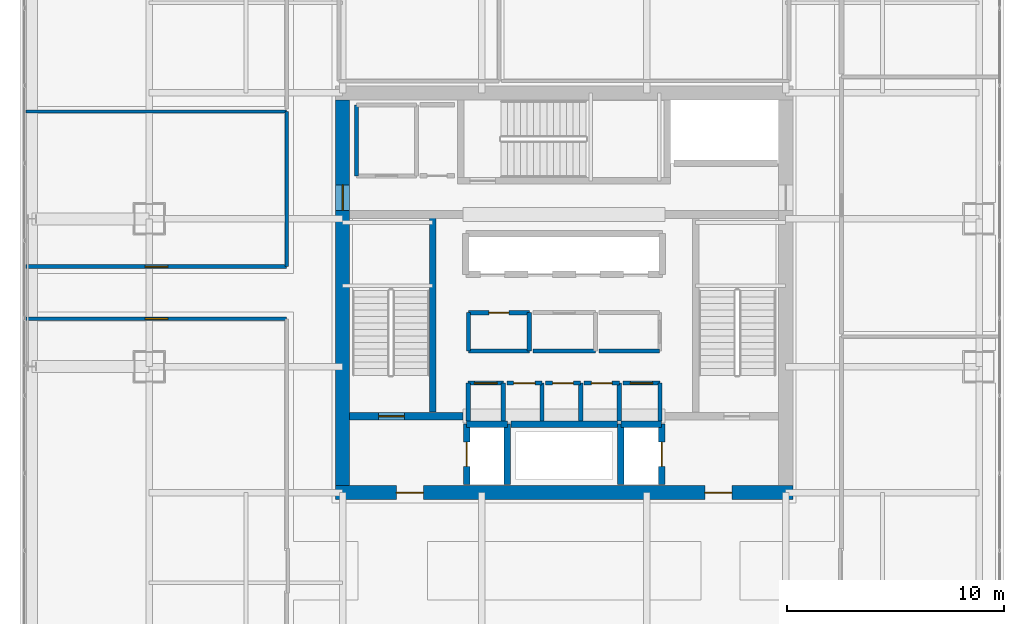
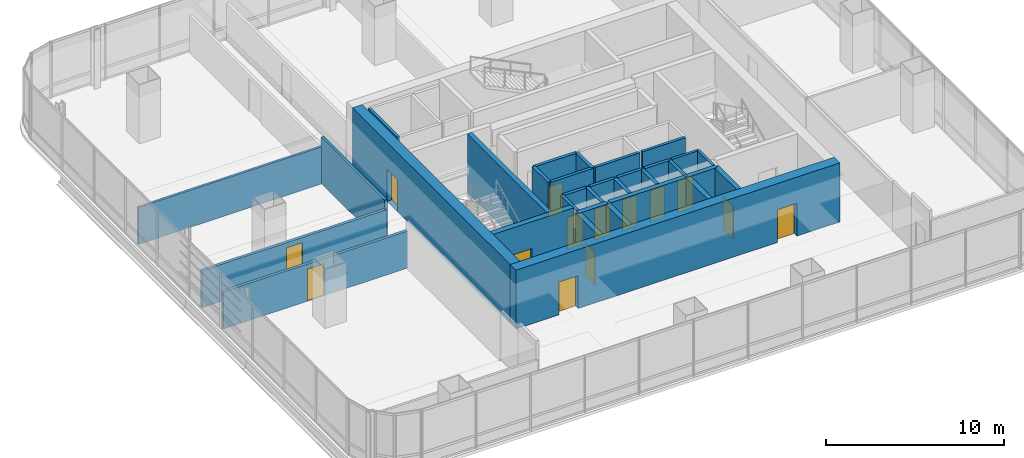
# One storey, part 30 of 38: 33 walls, 14 doors, 14 openings.
"""IFC4 building model written with IfcOpenShell, lengths in metres."""

from ifc_helpers import new_model, si_unit, direction, frame, frame_2d, origin, place, context, subcontext, project, spatial, rectangle, extrude, material, layer, layer_set, type_object, element, fill, save


model = new_model("IFC4")

# Units and contexts
model_context = context("Model", 3, precision=1e-05, world=origin(), true_north=direction((0.0, 1.0)))
body_context = subcontext(model_context, "Body", "Model", "MODEL_VIEW")
ifc_project = project(units=[si_unit("LENGTHUNIT", "METRE"), si_unit("AREAUNIT", "SQUARE_METRE"), si_unit("VOLUMEUNIT", "CUBIC_METRE"), si_unit("PLANEANGLEUNIT", "RADIAN"), si_unit("MASSUNIT", "GRAM", prefix="KILO")], contexts=[model_context])

# Site, building, storey
site_placement = place(None, origin())
site = spatial("IfcSite", under=ifc_project, at=site_placement, CompositionType="ELEMENT")
building_placement = place(site_placement, origin())
building = spatial("IfcBuilding", under=site, at=building_placement, Name="Punatoya Terracotta Tower", CompositionType="ELEMENT")
storey_placement = place(building_placement, frame((0.0, 0.0, 151.949951171875)))
storey = spatial("IfcBuildingStorey", under=building, at=storey_placement, Name="L35", CompositionType="ELEMENT", Elevation=151.949951171875)

# Wall, openings, doors
ifc_material_1 = material(Name="Concrete C60/75", Category="concrete")
ifc_layer_1 = layer(ifc_material_1, 0.64990234375)
ifc_layer_set_1 = layer_set([ifc_layer_1], Name="Concrete C60/75")
wall_type_1 = type_object("IfcWallType", Name="WL-COR-650", PredefinedType="SHEAR", material=ifc_layer_set_1)
wall_1_placement = place(storey_placement, frame((10.52490234375, -9.199951171875, 0.0), z_axis=(0.0, 0.0, 1.0), x_axis=(-1.0, 0.0, 0.0)))
wall_1 = element("IfcWall", 1, at=wall_1_placement, inside=storey, type_object=wall_type_1, Name="L35 Core Shear Wall S", PredefinedType="SHEAR", context=body_context, shape_type="SweptSolid", body=[
    extrude(rectangle(XDim=21.0498046875, YDim=0.64990234375, at=frame_2d((10.52490234375, 0.0))), origin(), (0.0, 0.0, 1.0), 4.050048828125),
])
opening_1_placement = place(wall_1_placement, frame((2.800048828125, 0.0, 0.0)))
opening_1 = element("IfcOpeningElement", 2, at=opening_1_placement, cuts=wall_1, Name="Opening FD-L1", PredefinedType="OPENING", context=body_context, shape_type="SweptSolid", body=[
    extrude(rectangle(XDim=1.25, YDim=2.25, at=frame_2d((0.625, 1.125))), frame((0.0, 0.3349609375, 0.0), z_axis=(0.0, -1.0, 0.0), x_axis=(1.0, 0.0, 0.0)), (0.0, 0.0, 1.0), 0.669921875),
])
opening_2_placement = place(wall_1_placement, frame((17.0, 0.0, 0.0)))
opening_2 = element("IfcOpeningElement", 3, at=opening_2_placement, cuts=wall_1, Name="Opening FD-L1", PredefinedType="OPENING", context=body_context, shape_type="SweptSolid", body=[
    extrude(rectangle(XDim=1.25, YDim=2.25, at=frame_2d((0.625, 1.125))), frame((0.0, 0.3349609375, 0.0), z_axis=(0.0, -1.0, 0.0), x_axis=(1.0, 0.0, 0.0)), (0.0, 0.0, 1.0), 0.669921875),
])
ifc_material_2 = material(Name="Galvanised Steel Smokeproof Fire Door", Category="steel")
door_type_1 = type_object("IfcDoorType", Name="DR-FFL-1250", OperationType="NOTDEFINED", PredefinedType="DOOR", material=ifc_material_2)
door_1_placement = place(opening_1_placement, origin())
door_1 = element("IfcDoor", 4, at=door_1_placement, inside=storey, type_object=door_type_1, Name="L35 East Firefighting Lobby Corridor Fire Door", OperationType="SINGLE_SWING_LEFT", OverallHeight=2.25, OverallWidth=1.25, PredefinedType="DOOR", context=body_context, shape_type="SweptSolid", body=[
    extrude(rectangle(XDim=1.25, YDim=2.25, at=frame_2d((0.625, 1.125))), frame((0.0, 0.02490234375, 0.0), z_axis=(0.0, -1.0, 0.0), x_axis=(1.0, 0.0, 0.0)), (0.0, 0.0, 1.0), 0.050048828125),
])
fill(opening_1, door_1)
door_2_placement = place(opening_2_placement, origin())
door_2 = element("IfcDoor", 5, at=door_2_placement, inside=storey, type_object=door_type_1, Name="L35 West Firefighting Lobby Corridor Fire Door", OperationType="SINGLE_SWING_RIGHT", OverallHeight=2.25, OverallWidth=1.25, PredefinedType="DOOR", context=body_context, shape_type="SweptSolid", body=[
    extrude(rectangle(XDim=1.25, YDim=2.25, at=frame_2d((0.625, 1.125))), frame((0.0, 0.02490234375, 0.0), z_axis=(0.0, -1.0, 0.0), x_axis=(1.0, 0.0, 0.0)), (0.0, 0.0, 1.0), 0.050048828125),
])
fill(opening_2, door_2)

# Wall, opening, door
wall_2_placement = place(storey_placement, frame((-10.199951171875, -8.875, 0.0), z_axis=(0.0, 0.0, 1.0), x_axis=(0.0, 1.0, 0.0)))
wall_2 = element("IfcWall", 6, at=wall_2_placement, inside=storey, type_object=wall_type_1, Name="L35 Core Shear Wall W", PredefinedType="SHEAR", context=body_context, shape_type="SweptSolid", body=[
    extrude(rectangle(XDim=17.75, YDim=0.64990234375, at=frame_2d((8.875, 0.0))), origin(), (0.0, 0.0, 1.0), 4.050048828125),
])
opening_3_placement = place(wall_2_placement, frame((12.6650390625, 0.0, 0.0)))
opening_3 = element("IfcOpeningElement", 7, at=opening_3_placement, cuts=wall_2, Name="Opening SD-01", PredefinedType="OPENING", context=body_context, shape_type="SweptSolid", body=[
    extrude(rectangle(XDim=1.179931640625, YDim=2.199951171875, at=frame_2d((0.58984375, 1.10009765625))), frame((0.0, 0.3349609375, 0.0), z_axis=(0.0, -1.0, 0.0), x_axis=(1.0, 0.0, 0.0)), (0.0, 0.0, 1.0), 0.669921875),
])
ifc_material_3 = material(Name="Galvanised Steel Pressurized Stair Fire Door", Category="steel")
door_type_2 = type_object("IfcDoorType", Name="DR-STR-1180", OperationType="NOTDEFINED", PredefinedType="DOOR", material=ifc_material_3)
door_3_placement = place(opening_3_placement, origin())
door_3 = element("IfcDoor", 8, at=door_3_placement, inside=storey, type_object=door_type_2, Name="L35 Central Lift Lobby West Fire Door", OperationType="SINGLE_SWING_LEFT", OverallHeight=2.199951171875, OverallWidth=1.179931640625, PredefinedType="DOOR", context=body_context, shape_type="SweptSolid", body=[
    extrude(rectangle(XDim=1.179931640625, YDim=2.199951171875, at=frame_2d((0.58984375, 1.10009765625))), frame((0.0, 0.02490234375, 0.0), z_axis=(0.0, -1.0, 0.0), x_axis=(1.0, 0.0, 0.0)), (0.0, 0.0, 1.0), 0.050048828125),
])
fill(opening_3, door_3)

# Wall
ifc_material_4 = material(Name="Gypsum Fireboard + Steel Stud", Category="steel")
ifc_layer_2 = layer(ifc_material_4, 0.179931640625)
ifc_layer_set_2 = layer_set([ifc_layer_2], Name="Gypsum Fireboard + Steel Stud")
wall_type_2 = type_object("IfcWallType", Name="WL-CORR-180", PredefinedType="PARTITIONING", material=ifc_layer_set_2)
wall_3_placement = place(storey_placement, frame((4.419921875, -5.89990234375, 0.0), z_axis=(0.0, 0.0, 1.0), x_axis=(0.0, 1.0, 0.0)))
element("IfcWall", 9, at=wall_3_placement, inside=storey, type_object=wall_type_2, Name="L35 Core Focus Booth Partition 10", PredefinedType="PARTITIONING", context=body_context, shape_type="SweptSolid", body=[
    extrude(rectangle(XDim=1.739990234375, YDim=0.179931640625, at=frame_2d((0.8701171875, 0.0))), origin(), (0.0, 0.0, 1.0), 3.830078125),
])

# Wall, opening, door
wall_4_placement = place(storey_placement, frame((4.419921875, -4.159912109375, 0.0), z_axis=(0.0, 0.0, 1.0), x_axis=(-1.0, 0.0, 0.0)))
wall_4 = element("IfcWall", 10, at=wall_4_placement, inside=storey, type_object=wall_type_2, Name="L35 Core Focus Booth Partition 11", PredefinedType="PARTITIONING", context=body_context, shape_type="SweptSolid", body=[
    extrude(rectangle(XDim=1.719970703125, YDim=0.179931640625, at=frame_2d((0.85986328125, 0.0))), origin(), (0.0, 0.0, 1.0), 3.830078125),
])
opening_4_placement = place(wall_4_placement, frame((0.35009765625, 0.0, 0.0)))
opening_4 = element("IfcOpeningElement", 11, at=opening_4_placement, cuts=wall_4, Name="Opening MD-01", PredefinedType="OPENING", context=body_context, shape_type="SweptSolid", body=[
    extrude(rectangle(XDim=1.02001953125, YDim=2.199951171875, at=frame_2d((0.510009765625, 1.10009765625))), frame((0.0, 0.099853515625, 0.0), z_axis=(0.0, -1.0, 0.0), x_axis=(1.0, 0.0, 0.0)), (0.0, 0.0, 1.0), 0.199951171875),
])
ifc_material_5 = material(Name="Aluminium + Acoustic Glass Leaf", Category="aluminium")
door_type_3 = type_object("IfcDoorType", Name="DR-MTG-1020", OperationType="NOTDEFINED", PredefinedType="DOOR", material=ifc_material_5)
door_4_placement = place(opening_4_placement, origin())
door_4 = element("IfcDoor", 12, at=door_4_placement, inside=storey, type_object=door_type_3, Name="L35 Focus Booth Door", OperationType="SINGLE_SWING_LEFT", OverallHeight=2.199951171875, OverallWidth=1.02001953125, PredefinedType="DOOR", context=body_context, shape_type="SweptSolid", body=[
    extrude(rectangle(XDim=1.02001953125, YDim=2.199951171875, at=frame_2d((0.510009765625, 1.10009765625))), frame((0.0, 0.02490234375, 0.0), z_axis=(0.0, -1.0, 0.0), x_axis=(1.0, 0.0, 0.0)), (0.0, 0.0, 1.0), 0.050048828125),
])
fill(opening_4, door_4)

# Walls
wall_5_placement = place(storey_placement, frame((-1.43994140625, -2.679931640625, 0.0), z_axis=(0.0, 0.0, 1.0), x_axis=(1.0, 0.0, 0.0)))
element("IfcWall", 13, at=wall_5_placement, inside=storey, type_object=wall_type_2, Name="L35 Center Core Briefing Pod Partition 18", PredefinedType="PARTITIONING", context=body_context, shape_type="SweptSolid", body=[
    extrude(rectangle(XDim=2.8798828125, YDim=0.179931640625, at=frame_2d((1.43994140625, 0.0))), origin(), (0.0, 0.0, 1.0), 3.830078125),
])
wall_6_placement = place(storey_placement, frame((1.60009765625, -2.679931640625, 0.0), z_axis=(0.0, 0.0, 1.0), x_axis=(1.0, 0.0, 0.0)))
element("IfcWall", 14, at=wall_6_placement, inside=storey, type_object=wall_type_2, Name="L35 Right Core Copy Room Partition 21", PredefinedType="PARTITIONING", context=body_context, shape_type="SweptSolid", body=[
    extrude(rectangle(XDim=2.7998046875, YDim=0.179931640625, at=frame_2d((1.39990234375, 0.0))), origin(), (0.0, 0.0, 1.0), 3.830078125),
])
wall_7_placement = place(storey_placement, frame((-9.550048828125, 8.64990234375, 0.0), z_axis=(0.0, 0.0, 1.0), x_axis=(0.0, -1.0, 0.0)))
element("IfcWall", 15, at=wall_7_placement, inside=storey, type_object=wall_type_2, Name="L35 West Core Briefing Pod Partition 24", PredefinedType="PARTITIONING", context=body_context, shape_type="SweptSolid", body=[
    extrude(rectangle(XDim=3.27001953125, YDim=0.179931640625, at=frame_2d((1.635009765625, 0.0))), origin(), (0.0, 0.0, 1.0), 3.830078125),
])

# Wall, opening, door
wall_8_placement = place(storey_placement, frame((-24.77001953125, -1.199951171875, 0.0), z_axis=(0.0, 0.0, 1.0), x_axis=(1.0, 0.0, 0.0)))
wall_8 = element("IfcWall", 16, at=wall_8_placement, inside=storey, type_object=wall_type_2, Name="L35 Cartography Reference Library Partition 33", PredefinedType="PARTITIONING", context=body_context, shape_type="SweptSolid", body=[
    extrude(rectangle(XDim=12.0, YDim=0.179931640625, at=frame_2d((6.0, 0.0))), origin(), (0.0, 0.0, 1.0), 2.5439453125),
])
opening_5_placement = place(wall_8_placement, frame((5.47509765625, 0.0, 0.0)))
opening_5 = element("IfcOpeningElement", 17, at=opening_5_placement, cuts=wall_8, Name="Opening OD-01", PredefinedType="OPENING", context=body_context, shape_type="SweptSolid", body=[
    extrude(rectangle(XDim=1.050048828125, YDim=2.199951171875, at=frame_2d((0.52490234375, 1.10009765625))), frame((0.0, 0.099853515625, 0.0), z_axis=(0.0, -1.0, 0.0), x_axis=(1.0, 0.0, 0.0)), (0.0, 0.0, 1.0), 0.199951171875),
])
ifc_material_6 = material(Name="Bengal Teak Solid-Core Leaf")
door_type_4 = type_object("IfcDoorType", Name="DR-OFF-1050", OperationType="NOTDEFINED", PredefinedType="DOOR", material=ifc_material_6)
door_5_placement = place(opening_5_placement, origin())
door_5 = element("IfcDoor", 18, at=door_5_placement, inside=storey, type_object=door_type_4, Name="L35 Cartography Reference Library Door", OperationType="SINGLE_SWING_RIGHT", OverallHeight=2.199951171875, OverallWidth=1.050048828125, PredefinedType="DOOR", context=body_context, shape_type="SweptSolid", body=[
    extrude(rectangle(XDim=1.050048828125, YDim=2.199951171875, at=frame_2d((0.52490234375, 1.10009765625))), frame((0.0, 0.02490234375, 0.0), z_axis=(0.0, -1.0, 0.0), x_axis=(1.0, 0.0, 0.0)), (0.0, 0.0, 1.0), 0.050048828125),
])
fill(opening_5, door_5)

wall_9_placement = place(storey_placement, frame((-12.77001953125, 1.199951171875, 0.0), z_axis=(0.0, 0.0, 1.0), x_axis=(-1.0, 0.0, 0.0)))
wall_9 = element("IfcWall", 19, at=wall_9_placement, inside=storey, type_object=wall_type_2, Name="L35 Open-Plan Environmental Research Laboratory Partition 40", PredefinedType="PARTITIONING", context=body_context, shape_type="SweptSolid", body=[
    extrude(rectangle(XDim=12.0, YDim=0.179931640625, at=frame_2d((6.0, 0.0))), origin(), (0.0, 0.0, 1.0), 2.5439453125),
])
opening_6_placement = place(wall_9_placement, frame((5.47509765625, 0.0, 0.0)))
opening_6 = element("IfcOpeningElement", 20, at=opening_6_placement, cuts=wall_9, Name="Opening OD-01", PredefinedType="OPENING", context=body_context, shape_type="SweptSolid", body=[
    extrude(rectangle(XDim=1.050048828125, YDim=2.199951171875, at=frame_2d((0.52490234375, 1.10009765625))), frame((0.0, 0.099853515625, 0.0), z_axis=(0.0, -1.0, 0.0), x_axis=(1.0, 0.0, 0.0)), (0.0, 0.0, 1.0), 0.199951171875),
])
door_6_placement = place(opening_6_placement, origin())
door_6 = element("IfcDoor", 21, at=door_6_placement, inside=storey, type_object=door_type_4, Name="L35 Open-Plan Environmental Research Laboratory Door", OperationType="SINGLE_SWING_RIGHT", OverallHeight=2.199951171875, OverallWidth=1.050048828125, PredefinedType="DOOR", context=body_context, shape_type="SweptSolid", body=[
    extrude(rectangle(XDim=1.050048828125, YDim=2.199951171875, at=frame_2d((0.52490234375, 1.10009765625))), frame((0.0, 0.02490234375, 0.0), z_axis=(0.0, -1.0, 0.0), x_axis=(1.0, 0.0, 0.0)), (0.0, 0.0, 1.0), 0.050048828125),
])
fill(opening_6, door_6)

# Walls
wall_10_placement = place(storey_placement, frame((-12.77001953125, 8.34912109375, 0.0), z_axis=(0.0, 0.0, 1.0), x_axis=(0.0, -1.0, 0.0)))
element("IfcWall", 22, at=wall_10_placement, inside=storey, type_object=wall_type_2, Name="L35 Open-Plan Environmental Research Laboratory Partition 42", PredefinedType="PARTITIONING", context=body_context, shape_type="SweptSolid", body=[
    extrude(rectangle(XDim=7.149169921875, YDim=0.179931640625, at=frame_2d((3.57470703125, 0.0))), origin(), (0.0, 0.0, 1.0), 3.174072265625),
])
ifc_material_7 = material(Name="Concrete C40/50", Category="concrete")
ifc_layer_3 = layer(ifc_material_7, 0.199951171875)
ifc_layer_set_3 = layer_set([ifc_layer_3], Name="Concrete C40/50")
wall_type_3 = type_object("IfcWallType", Name="WL-INT-200", PredefinedType="SOLIDWALL", material=ifc_layer_set_3)
wall_11_placement = place(storey_placement, frame((-2.800048828125, -5.89990234375, 0.0), z_axis=(0.0, 0.0, 1.0), x_axis=(0.0, 1.0, 0.0)))
element("IfcWall", 23, at=wall_11_placement, inside=storey, type_object=wall_type_3, Name="L35 Core Tea Pantry Partition 01", PredefinedType="SOLIDWALL", context=body_context, shape_type="SweptSolid", body=[
    extrude(rectangle(XDim=1.739990234375, YDim=0.199951171875, at=frame_2d((0.8701171875, 0.0))), origin(), (0.0, 0.0, 1.0), 3.830078125),
])

# Wall, opening, door
wall_12_placement = place(storey_placement, frame((-2.800048828125, -4.159912109375, 0.0), z_axis=(0.0, 0.0, 1.0), x_axis=(-1.0, 0.0, 0.0)))
wall_12 = element("IfcWall", 24, at=wall_12_placement, inside=storey, type_object=wall_type_3, Name="L35 Core Tea Pantry Partition 02", PredefinedType="SOLIDWALL", context=body_context, shape_type="SweptSolid", body=[
    extrude(rectangle(XDim=1.619873046875, YDim=0.199951171875, at=frame_2d((0.81005859375, 0.0))), origin(), (0.0, 0.0, 1.0), 3.830078125),
])
opening_7_placement = place(wall_12_placement, frame((0.284912109375, 0.0, 0.0)))
opening_7 = element("IfcOpeningElement", 25, at=opening_7_placement, cuts=wall_12, Name="Opening OD-01", PredefinedType="OPENING", context=body_context, shape_type="SweptSolid", body=[
    extrude(rectangle(XDim=1.050048828125, YDim=2.199951171875, at=frame_2d((0.52490234375, 1.10009765625))), frame((0.0, 0.10986328125, 0.0), z_axis=(0.0, -1.0, 0.0), x_axis=(1.0, 0.0, 0.0)), (0.0, 0.0, 1.0), 0.219970703125),
])
door_7_placement = place(opening_7_placement, origin())
door_7 = element("IfcDoor", 26, at=door_7_placement, inside=storey, type_object=door_type_4, Name="L35 Tea Pantry Door", OperationType="SINGLE_SWING_LEFT", OverallHeight=2.199951171875, OverallWidth=1.050048828125, PredefinedType="DOOR", context=body_context, shape_type="SweptSolid", body=[
    extrude(rectangle(XDim=1.050048828125, YDim=2.199951171875, at=frame_2d((0.52490234375, 1.10009765625))), frame((0.0, 0.02490234375, 0.0), z_axis=(0.0, -1.0, 0.0), x_axis=(1.0, 0.0, 0.0)), (0.0, 0.0, 1.0), 0.050048828125),
])
fill(opening_7, door_7)

# Walls
for number, where, z_axis, x_axis, name in (
    (27, (-4.419921875, -4.159912109375, 0.0), (0.0, 0.0, 1.0), (0.0, -1.0, 0.0), "L35 Core Tea Pantry Partition 03"),
    (28, (-1.02001953125, -5.89990234375, 0.0), (0.0, 0.0, 1.0), (0.0, 1.0, 0.0), "L35 Accessible Washroom Partition 04"),
):
    element("IfcWall", number, at=place(storey_placement, frame(where, z_axis=z_axis, x_axis=x_axis)), inside=storey, type_object=wall_type_3, Name=name, PredefinedType="SOLIDWALL", context=body_context, shape_type="SweptSolid", body=[
        extrude(rectangle(XDim=1.739990234375, YDim=0.199951171875, at=frame_2d((0.8701171875, 0.0))), origin(), (0.0, 0.0, 1.0), 3.830078125),
    ])

# Wall, opening, door
wall_13_placement = place(storey_placement, frame((-1.02001953125, -4.159912109375, 0.0), z_axis=(0.0, 0.0, 1.0), x_axis=(-1.0, 0.0, 0.0)))
wall_13 = element("IfcWall", 29, at=wall_13_placement, inside=storey, type_object=wall_type_3, Name="L35 Accessible Washroom Partition 05", PredefinedType="SOLIDWALL", context=body_context, shape_type="SweptSolid", body=[
    extrude(rectangle(XDim=1.619873046875, YDim=0.199951171875, at=frame_2d((0.81005859375, 0.0))), origin(), (0.0, 0.0, 1.0), 3.830078125),
])
opening_8_placement = place(wall_13_placement, frame((0.31005859375, 0.0, 0.0)))
opening_8 = element("IfcOpeningElement", 30, at=opening_8_placement, cuts=wall_13, Name="Opening AWD-1", PredefinedType="OPENING", context=body_context, shape_type="SweptSolid", body=[
    extrude(rectangle(XDim=1.0, YDim=2.14990234375, at=frame_2d((0.5, 1.074951171875))), frame((0.0, 0.10986328125, 0.0), z_axis=(0.0, -1.0, 0.0), x_axis=(1.0, 0.0, 0.0)), (0.0, 0.0, 1.0), 0.219970703125),
])
ifc_material_8 = material(Name="Bengal Teak Accessible WC Leaf")
door_type_5 = type_object("IfcDoorType", Name="DR-ACC-1000", OperationType="NOTDEFINED", PredefinedType="DOOR", material=ifc_material_8)
door_8_placement = place(opening_8_placement, origin())
door_8 = element("IfcDoor", 31, at=door_8_placement, inside=storey, type_object=door_type_5, Name="L35 Accessible Washroom Door", OperationType="SINGLE_SWING_RIGHT", OverallHeight=2.14990234375, OverallWidth=1.0, PredefinedType="DOOR", context=body_context, shape_type="SweptSolid", body=[
    extrude(rectangle(XDim=1.0, YDim=2.14990234375, at=frame_2d((0.5, 1.074951171875))), frame((0.0, 0.02490234375, 0.0), z_axis=(0.0, -1.0, 0.0), x_axis=(1.0, 0.0, 0.0)), (0.0, 0.0, 1.0), 0.050048828125),
])
fill(opening_8, door_8)

# Wall
wall_14_placement = place(storey_placement, frame((0.760009765625, -5.89990234375, 0.0), z_axis=(0.0, 0.0, 1.0), x_axis=(0.0, 1.0, 0.0)))
element("IfcWall", 32, at=wall_14_placement, inside=storey, type_object=wall_type_3, Name="L35 Female Washroom Partition 06", PredefinedType="SOLIDWALL", context=body_context, shape_type="SweptSolid", body=[
    extrude(rectangle(XDim=1.739990234375, YDim=0.199951171875, at=frame_2d((0.8701171875, 0.0))), origin(), (0.0, 0.0, 1.0), 3.830078125),
])

# Wall, opening, door
wall_15_placement = place(storey_placement, frame((0.760009765625, -4.159912109375, 0.0), z_axis=(0.0, 0.0, 1.0), x_axis=(-1.0, 0.0, 0.0)))
wall_15 = element("IfcWall", 33, at=wall_15_placement, inside=storey, type_object=wall_type_3, Name="L35 Female Washroom Partition 07", PredefinedType="SOLIDWALL", context=body_context, shape_type="SweptSolid", body=[
    extrude(rectangle(XDim=1.6201171875, YDim=0.199951171875, at=frame_2d((0.81005859375, 0.0))), origin(), (0.0, 0.0, 1.0), 3.830078125),
])
opening_9_placement = place(wall_15_placement, frame((0.3349609375, 0.0, 0.0)))
opening_9 = element("IfcOpeningElement", 34, at=opening_9_placement, cuts=wall_15, Name="Opening WD-01", PredefinedType="OPENING", context=body_context, shape_type="SweptSolid", body=[
    extrude(rectangle(XDim=0.949951171875, YDim=2.14990234375, at=frame_2d((0.47509765625, 1.074951171875))), frame((0.0, 0.10986328125, 0.0), z_axis=(0.0, -1.0, 0.0), x_axis=(1.0, 0.0, 0.0)), (0.0, 0.0, 1.0), 0.219970703125),
])
ifc_material_9 = material(Name="Moisture-Resistant Laminate Timber Leaf", Category="wood")
door_type_6 = type_object("IfcDoorType", Name="DR-WC-950", OperationType="NOTDEFINED", PredefinedType="DOOR", material=ifc_material_9)
door_9_placement = place(opening_9_placement, origin())
door_9 = element("IfcDoor", 35, at=door_9_placement, inside=storey, type_object=door_type_6, Name="L35 Female Washroom Door", OperationType="SINGLE_SWING_LEFT", OverallHeight=2.14990234375, OverallWidth=0.949951171875, PredefinedType="DOOR", context=body_context, shape_type="SweptSolid", body=[
    extrude(rectangle(XDim=0.949951171875, YDim=2.14990234375, at=frame_2d((0.47509765625, 1.074951171875))), frame((0.0, 0.02490234375, 0.0), z_axis=(0.0, -1.0, 0.0), x_axis=(1.0, 0.0, 0.0)), (0.0, 0.0, 1.0), 0.050048828125),
])
fill(opening_9, door_9)

# Wall
wall_16_placement = place(storey_placement, frame((2.5400390625, -5.89990234375, 0.0), z_axis=(0.0, 0.0, 1.0), x_axis=(0.0, 1.0, 0.0)))
element("IfcWall", 36, at=wall_16_placement, inside=storey, type_object=wall_type_3, Name="L35 Male Washroom Partition 08", PredefinedType="SOLIDWALL", context=body_context, shape_type="SweptSolid", body=[
    extrude(rectangle(XDim=1.739990234375, YDim=0.199951171875, at=frame_2d((0.8701171875, 0.0))), origin(), (0.0, 0.0, 1.0), 3.830078125),
])

# Wall, opening, door
wall_17_placement = place(storey_placement, frame((2.5400390625, -4.159912109375, 0.0), z_axis=(0.0, 0.0, 1.0), x_axis=(-1.0, 0.0, 0.0)))
wall_17 = element("IfcWall", 37, at=wall_17_placement, inside=storey, type_object=wall_type_3, Name="L35 Male Washroom Partition 09", PredefinedType="SOLIDWALL", context=body_context, shape_type="SweptSolid", body=[
    extrude(rectangle(XDim=1.6201171875, YDim=0.199951171875, at=frame_2d((0.81005859375, 0.0))), origin(), (0.0, 0.0, 1.0), 3.830078125),
])
opening_10_placement = place(wall_17_placement, frame((0.3349609375, 0.0, 0.0)))
opening_10 = element("IfcOpeningElement", 38, at=opening_10_placement, cuts=wall_17, Name="Opening WD-01", PredefinedType="OPENING", context=body_context, shape_type="SweptSolid", body=[
    extrude(rectangle(XDim=0.949951171875, YDim=2.14990234375, at=frame_2d((0.47509765625, 1.074951171875))), frame((0.0, 0.10986328125, 0.0), z_axis=(0.0, -1.0, 0.0), x_axis=(1.0, 0.0, 0.0)), (0.0, 0.0, 1.0), 0.219970703125),
])
door_10_placement = place(opening_10_placement, origin())
door_10 = element("IfcDoor", 39, at=door_10_placement, inside=storey, type_object=door_type_6, Name="L35 Male Washroom Door", OperationType="SINGLE_SWING_RIGHT", OverallHeight=2.14990234375, OverallWidth=0.949951171875, PredefinedType="DOOR", context=body_context, shape_type="SweptSolid", body=[
    extrude(rectangle(XDim=0.949951171875, YDim=2.14990234375, at=frame_2d((0.47509765625, 1.074951171875))), frame((0.0, 0.02490234375, 0.0), z_axis=(0.0, -1.0, 0.0), x_axis=(1.0, 0.0, 0.0)), (0.0, 0.0, 1.0), 0.050048828125),
])
fill(opening_10, door_10)

# Wall
wall_18_placement = place(storey_placement, frame((-1.60009765625, -2.679931640625, 0.0), z_axis=(0.0, 0.0, 1.0), x_axis=(0.0, 1.0, 0.0)))
element("IfcWall", 40, at=wall_18_placement, inside=storey, type_object=wall_type_3, Name="L35 Left Core Store Partition 12", PredefinedType="SOLIDWALL", context=body_context, shape_type="SweptSolid", body=[
    extrude(rectangle(XDim=1.760009765625, YDim=0.199951171875, at=frame_2d((0.8798828125, 0.0))), origin(), (0.0, 0.0, 1.0), 3.830078125),
])

# Wall, opening, door
wall_19_placement = place(storey_placement, frame((-1.60009765625, -0.919921875, 0.0), z_axis=(0.0, 0.0, 1.0), x_axis=(-1.0, 0.0, 0.0)))
wall_19 = element("IfcWall", 41, at=wall_19_placement, inside=storey, type_object=wall_type_3, Name="L35 Left Core Store Partition 13", PredefinedType="SOLIDWALL", context=body_context, shape_type="SweptSolid", body=[
    extrude(rectangle(XDim=2.7998046875, YDim=0.199951171875, at=frame_2d((1.39990234375, 0.0))), origin(), (0.0, 0.0, 1.0), 3.830078125),
])
opening_11_placement = place(wall_19_placement, frame((0.93994140625, 0.0, 0.0)))
opening_11 = element("IfcOpeningElement", 42, at=opening_11_placement, cuts=wall_19, Name="Opening FD-R1", PredefinedType="OPENING", context=body_context, shape_type="SweptSolid", body=[
    extrude(rectangle(XDim=0.919921875, YDim=2.10009765625, at=frame_2d((0.4599609375, 1.050048828125))), frame((0.0, 0.10986328125, 0.0), z_axis=(0.0, -1.0, 0.0), x_axis=(1.0, 0.0, 0.0)), (0.0, 0.0, 1.0), 0.219970703125),
])
ifc_material_10 = material(Name="Galvanised Steel Riser Fire Access Door", Category="steel")
door_type_7 = type_object("IfcDoorType", Name="DR-RSR-920", OperationType="NOTDEFINED", PredefinedType="DOOR", material=ifc_material_10)
door_11_placement = place(opening_11_placement, origin())
door_11 = element("IfcDoor", 43, at=door_11_placement, inside=storey, type_object=door_type_7, Name="L35 Left Core Store Fire Door", OperationType="SINGLE_SWING_RIGHT", OverallHeight=2.10009765625, OverallWidth=0.919921875, PredefinedType="DOOR", context=body_context, shape_type="SweptSolid", body=[
    extrude(rectangle(XDim=0.919921875, YDim=2.10009765625, at=frame_2d((0.4599609375, 1.050048828125))), frame((0.0, 0.02490234375, 0.0), z_axis=(0.0, -1.0, 0.0), x_axis=(1.0, 0.0, 0.0)), (0.0, 0.0, 1.0), 0.050048828125),
])
fill(opening_11, door_11)

# Walls
wall_20_placement = place(storey_placement, frame((-4.39990234375, -0.919921875, 0.0), z_axis=(0.0, 0.0, 1.0), x_axis=(0.0, -1.0, 0.0)))
element("IfcWall", 44, at=wall_20_placement, inside=storey, type_object=wall_type_3, Name="L35 Left Core Store Partition 14", PredefinedType="SOLIDWALL", context=body_context, shape_type="SweptSolid", body=[
    extrude(rectangle(XDim=1.760009765625, YDim=0.199951171875, at=frame_2d((0.8798828125, 0.0))), origin(), (0.0, 0.0, 1.0), 3.830078125),
])
wall_21_placement = place(storey_placement, frame((-4.39990234375, -2.679931640625, 0.0), z_axis=(0.0, 0.0, 1.0), x_axis=(1.0, 0.0, 0.0)))
element("IfcWall", 45, at=wall_21_placement, inside=storey, type_object=wall_type_3, Name="L35 Left Core Store Partition 15", PredefinedType="SOLIDWALL", context=body_context, shape_type="SweptSolid", body=[
    extrude(rectangle(XDim=2.7998046875, YDim=0.199951171875, at=frame_2d((1.39990234375, 0.0))), origin(), (0.0, 0.0, 1.0), 3.830078125),
])
ifc_material_11 = material(Name="Acoustic Gypsum + Steel Stud", Category="steel")
ifc_layer_4 = layer(ifc_material_11, 0.139892578125)
ifc_layer_set_4 = layer_set([ifc_layer_4], Name="Acoustic Gypsum + Steel Stud")
wall_type_4 = type_object("IfcWallType", Name="WL-OFF-140", PredefinedType="PARTITIONING", material=ifc_layer_set_4)
wall_22_placement = place(storey_placement, frame((-24.77001953125, 8.34912109375, 0.0), z_axis=(0.0, 0.0, 1.0), x_axis=(1.0, 0.0, 0.0)))
element("IfcWall", 46, at=wall_22_placement, inside=storey, type_object=wall_type_4, Name="L35 Open-Plan Environmental Research Laboratory Partition 41", PredefinedType="PARTITIONING", context=body_context, shape_type="SweptSolid", body=[
    extrude(rectangle(XDim=12.0, YDim=0.139892578125, at=frame_2d((6.0, 0.0))), origin(), (0.0, 0.0, 1.0), 2.5439453125),
])
ifc_layer_5 = layer(ifc_material_7, 0.300048828125)
ifc_layer_set_5 = layer_set([ifc_layer_5], Name="Concrete C40/50")
wall_type_5 = type_object("IfcWallType", Name="WL-SHF-300", PredefinedType="SOLIDWALL", material=ifc_layer_set_5)
wall_23_placement = place(storey_placement, frame((-6.050048828125, -5.5, 0.0), z_axis=(0.0, 0.0, 1.0), x_axis=(0.0, 1.0, 0.0)))
element("IfcWall", 47, at=wall_23_placement, inside=storey, type_object=wall_type_5, Name="L35 Structural Stair Shaft Wall SW-ST1-E", PredefinedType="SOLIDWALL", context=body_context, shape_type="SweptSolid", body=[
    extrude(rectangle(XDim=8.949951171875, YDim=0.300048828125, at=frame_2d((4.47509765625, 0.0))), origin(), (0.0, 0.0, 1.0), 4.050048828125),
])

# Wall, opening, door
wall_24_placement = place(storey_placement, frame((-4.489990234375, -8.820068359375, 0.0), z_axis=(0.0, 0.0, 1.0), x_axis=(0.0, 1.0, 0.0)))
wall_24 = element("IfcWall", 48, at=wall_24_placement, inside=storey, type_object=wall_type_5, Name="L35 FFL-1 Front Hoistway Wall", PredefinedType="SOLIDWALL", context=body_context, shape_type="SweptSolid", body=[
    extrude(rectangle(XDim=2.77001953125, YDim=0.300048828125, at=frame_2d((1.385009765625, 0.0))), origin(), (0.0, 0.0, 1.0), 3.830078125),
])
opening_12_placement = place(wall_24_placement, frame((0.824951171875, 0.0, 0.0)))
opening_12 = element("IfcOpeningElement", 49, at=opening_12_placement, cuts=wall_24, Name="Opening LD-02", PredefinedType="OPENING", context=body_context, shape_type="SweptSolid", body=[
    extrude(rectangle(XDim=1.1201171875, YDim=2.25, at=frame_2d((0.56005859375, 1.125))), frame((0.0, 0.159912109375, 0.0), z_axis=(0.0, -1.0, 0.0), x_axis=(1.0, 0.0, 0.0)), (0.0, 0.0, 1.0), 0.320068359375),
])
ifc_material_12 = material(Name="Stainless Steel Lift Landing Door", Category="steel")
door_type_8 = type_object("IfcDoorType", Name="DR-LND-1120", OperationType="NOTDEFINED", PredefinedType="DOOR", material=ifc_material_12)
door_12_placement = place(opening_12_placement, origin())
door_12 = element("IfcDoor", 50, at=door_12_placement, inside=storey, type_object=door_type_8, Name="L35 Firefighting Lift FFL-1 Sliding Landing Door", OperationType="SLIDING_TO_LEFT", OverallHeight=2.25, OverallWidth=1.1201171875, PredefinedType="DOOR", context=body_context, shape_type="SweptSolid", body=[
    extrude(rectangle(XDim=1.1201171875, YDim=2.25, at=frame_2d((0.56005859375, 1.125))), frame((0.0, 0.02490234375, 0.0), z_axis=(0.0, -1.0, 0.0), x_axis=(1.0, 0.0, 0.0)), (0.0, 0.0, 1.0), 0.050048828125),
])
fill(opening_12, door_12)

# Walls
wall_25_placement = place(storey_placement, frame((-2.610107421875, -8.820068359375, 0.0), z_axis=(0.0, 0.0, 1.0), x_axis=(0.0, 1.0, 0.0)))
element("IfcWall", 51, at=wall_25_placement, inside=storey, type_object=wall_type_5, Name="L35 FFL-1 Rear Hoistway Wall", PredefinedType="SOLIDWALL", context=body_context, shape_type="SweptSolid", body=[
    extrude(rectangle(XDim=2.77001953125, YDim=0.300048828125, at=frame_2d((1.385009765625, 0.0))), origin(), (0.0, 0.0, 1.0), 3.830078125),
])
wall_26_placement = place(storey_placement, frame((-4.489990234375, -6.050048828125, 0.0), z_axis=(0.0, 0.0, 1.0), x_axis=(1.0, 0.0, 0.0)))
element("IfcWall", 52, at=wall_26_placement, inside=storey, type_object=wall_type_5, Name="L35 FFL-1 North Hoistway Wall", PredefinedType="SOLIDWALL", context=body_context, shape_type="SweptSolid", body=[
    extrude(rectangle(XDim=1.8798828125, YDim=0.300048828125, at=frame_2d((0.93994140625, 0.0))), origin(), (0.0, 0.0, 1.0), 3.830078125),
])

# Wall, opening, door
wall_27_placement = place(storey_placement, frame((4.489990234375, -8.820068359375, 0.0), z_axis=(0.0, 0.0, 1.0), x_axis=(0.0, 1.0, 0.0)))
wall_27 = element("IfcWall", 53, at=wall_27_placement, inside=storey, type_object=wall_type_5, Name="L35 FFL-2 Front Hoistway Wall", PredefinedType="SOLIDWALL", context=body_context, shape_type="SweptSolid", body=[
    extrude(rectangle(XDim=2.77001953125, YDim=0.300048828125, at=frame_2d((1.385009765625, 0.0))), origin(), (0.0, 0.0, 1.0), 3.830078125),
])
opening_13_placement = place(wall_27_placement, frame((0.824951171875, 0.0, 0.0)))
opening_13 = element("IfcOpeningElement", 54, at=opening_13_placement, cuts=wall_27, Name="Opening LD-02", PredefinedType="OPENING", context=body_context, shape_type="SweptSolid", body=[
    extrude(rectangle(XDim=1.1201171875, YDim=2.25, at=frame_2d((0.56005859375, 1.125))), frame((0.0, 0.159912109375, 0.0), z_axis=(0.0, -1.0, 0.0), x_axis=(1.0, 0.0, 0.0)), (0.0, 0.0, 1.0), 0.320068359375),
])
door_13_placement = place(opening_13_placement, origin())
door_13 = element("IfcDoor", 55, at=door_13_placement, inside=storey, type_object=door_type_8, Name="L35 Firefighting Lift FFL-2 Sliding Landing Door", OperationType="SLIDING_TO_RIGHT", OverallHeight=2.25, OverallWidth=1.1201171875, PredefinedType="DOOR", context=body_context, shape_type="SweptSolid", body=[
    extrude(rectangle(XDim=1.1201171875, YDim=2.25, at=frame_2d((0.56005859375, 1.125))), frame((0.0, 0.02490234375, 0.0), z_axis=(0.0, -1.0, 0.0), x_axis=(1.0, 0.0, 0.0)), (0.0, 0.0, 1.0), 0.050048828125),
])
fill(opening_13, door_13)

# Walls
wall_28_placement = place(storey_placement, frame((2.610107421875, -8.820068359375, 0.0), z_axis=(0.0, 0.0, 1.0), x_axis=(0.0, 1.0, 0.0)))
element("IfcWall", 56, at=wall_28_placement, inside=storey, type_object=wall_type_5, Name="L35 FFL-2 Rear Hoistway Wall", PredefinedType="SOLIDWALL", context=body_context, shape_type="SweptSolid", body=[
    extrude(rectangle(XDim=2.77001953125, YDim=0.300048828125, at=frame_2d((1.385009765625, 0.0))), origin(), (0.0, 0.0, 1.0), 3.830078125),
])
wall_29_placement = place(storey_placement, frame((2.610107421875, -6.050048828125, 0.0), z_axis=(0.0, 0.0, 1.0), x_axis=(1.0, 0.0, 0.0)))
element("IfcWall", 57, at=wall_29_placement, inside=storey, type_object=wall_type_5, Name="L35 FFL-2 North Hoistway Wall", PredefinedType="SOLIDWALL", context=body_context, shape_type="SweptSolid", body=[
    extrude(rectangle(XDim=1.8798828125, YDim=0.300048828125, at=frame_2d((0.93994140625, 0.0))), origin(), (0.0, 0.0, 1.0), 3.830078125),
])
wall_30_placement = place(storey_placement, frame((-2.449951171875, -6.050048828125, 0.0), z_axis=(0.0, 0.0, 1.0), x_axis=(1.0, 0.0, 0.0)))
element("IfcWall", 58, at=wall_30_placement, inside=storey, type_object=wall_type_5, Name="L35 Observation Shuttle Rear Hoistway Wall", PredefinedType="SOLIDWALL", context=body_context, shape_type="SweptSolid", body=[
    extrude(rectangle(XDim=4.89990234375, YDim=0.300048828125, at=frame_2d((2.449951171875, 0.0))), origin(), (0.0, 0.0, 1.0), 3.830078125),
])

# Wall, opening, door
ifc_material_13 = material(Name="Concrete C50/60", Category="concrete")
ifc_layer_6 = layer(ifc_material_13, 0.35009765625)
ifc_layer_set_6 = layer_set([ifc_layer_6], Name="Concrete C50/60")
wall_type_6 = type_object("IfcWallType", Name="WL-SHF-350", PredefinedType="SOLIDWALL", material=ifc_layer_set_6)
wall_31_placement = place(storey_placement, frame((-9.875, -5.679931640625, 0.0), z_axis=(0.0, 0.0, 1.0), x_axis=(1.0, 0.0, 0.0)))
wall_31 = element("IfcWall", 59, at=wall_31_placement, inside=storey, type_object=wall_type_6, Name="L35 Core Web Wall CSW-L", PredefinedType="SOLIDWALL", context=body_context, shape_type="SweptSolid", body=[
    extrude(rectangle(XDim=5.22509765625, YDim=0.35009765625, at=frame_2d((2.612548828125, 0.0))), origin(), (0.0, 0.0, 1.0), 4.050048828125),
])
opening_14_placement = place(wall_31_placement, frame((1.3349609375, 0.0, 0.0)))
opening_14 = element("IfcOpeningElement", 60, at=opening_14_placement, cuts=wall_31, Name="Opening SD-01", PredefinedType="OPENING", context=body_context, shape_type="SweptSolid", body=[
    extrude(rectangle(XDim=1.179931640625, YDim=2.199951171875, at=frame_2d((0.58984375, 1.10009765625))), frame((0.0, 0.18505859375, 0.0), z_axis=(0.0, -1.0, 0.0), x_axis=(1.0, 0.0, 0.0)), (0.0, 0.0, 1.0), 0.3701171875),
])
door_14_placement = place(opening_14_placement, origin())
door_14 = element("IfcDoor", 61, at=door_14_placement, inside=storey, type_object=door_type_2, Name="L35 Stair ST-1 Smokeproof Lobby Fire Door", OperationType="SINGLE_SWING_LEFT", OverallHeight=2.199951171875, OverallWidth=1.179931640625, PredefinedType="DOOR", context=body_context, shape_type="SweptSolid", body=[
    extrude(rectangle(XDim=1.179931640625, YDim=2.199951171875, at=frame_2d((0.58984375, 1.10009765625))), frame((0.0, 0.02490234375, 0.0), z_axis=(0.0, -1.0, 0.0), x_axis=(1.0, 0.0, 0.0)), (0.0, 0.0, 1.0), 0.050048828125),
])
fill(opening_14, door_14)

save(model, "model.ifc")
